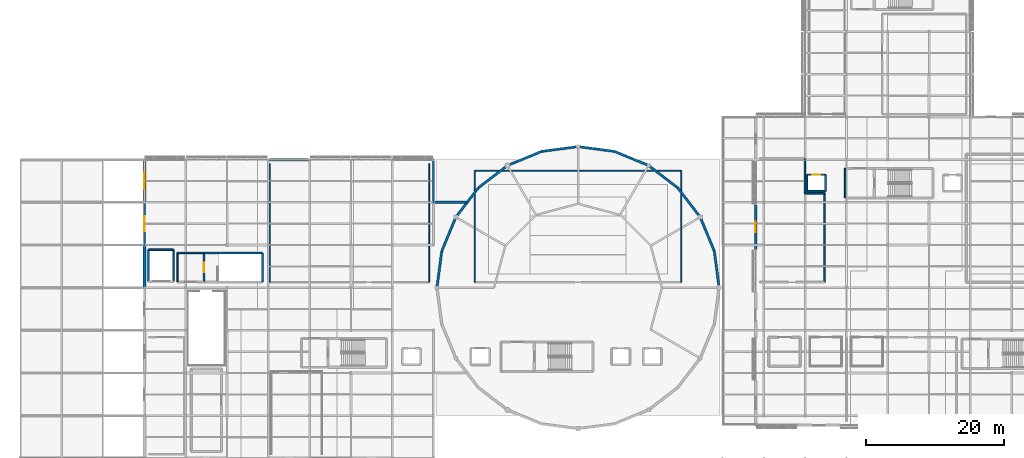
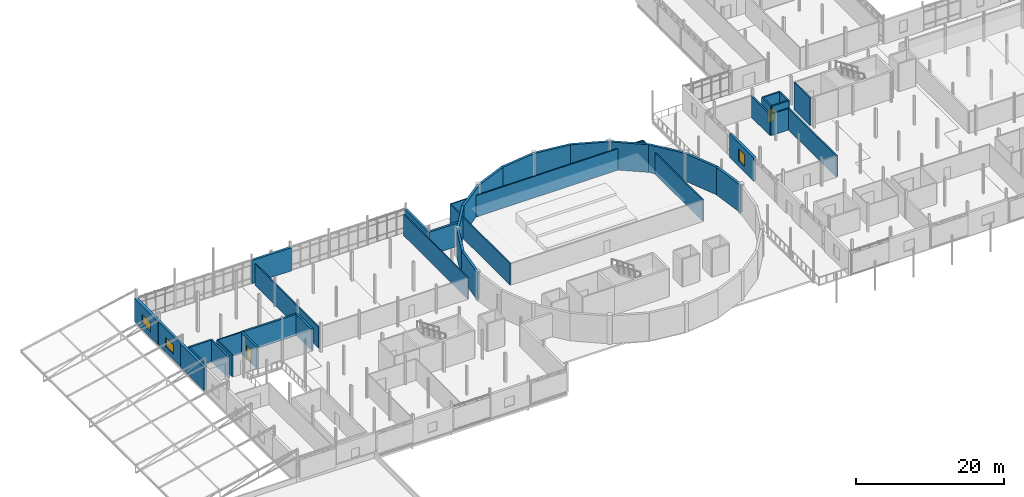
# One storey, part 60 of 84: 40 walls, 3 windows, 2 doors, 5 openings.
"""IFC4 building model written with IfcOpenShell, lengths in metres."""

from ifc_helpers import new_model, si_unit, direction, frame, frame_2d, origin, place, context, subcontext, project, spatial, rectangle, extrude, material, layer, layer_set, type_object, element, fill, save


model = new_model("IFC4")

# Units and contexts
model_context = context("Model", 3, precision=1e-05, world=origin(), true_north=direction((0.0, 1.0)))
body_context = subcontext(model_context, "Body", "Model", "MODEL_VIEW")
ifc_project = project(units=[si_unit("LENGTHUNIT", "METRE"), si_unit("AREAUNIT", "SQUARE_METRE"), si_unit("VOLUMEUNIT", "CUBIC_METRE"), si_unit("PLANEANGLEUNIT", "RADIAN"), si_unit("MASSUNIT", "GRAM", prefix="KILO")], contexts=[model_context])

# Site, building, storey
site_placement = place(None, origin())
site = spatial("IfcSite", under=ifc_project, at=site_placement, CompositionType="ELEMENT")
building_placement = place(site_placement, origin())
building = spatial("IfcBuilding", under=site, at=building_placement, Name="Mirzam Square Science Centre", CompositionType="ELEMENT")
storey_placement = place(building_placement, frame((0.0, 0.0, 10.800048828125)))
storey = spatial("IfcBuildingStorey", under=building, at=storey_placement, Name="L02", CompositionType="ELEMENT", Elevation=10.800048828125)

# Wall
ifc_material_1 = material(Name="Concrete C45/55", Category="concrete")
ifc_layer_1 = layer(ifc_material_1, 0.300048828125)
ifc_layer_set_1 = layer_set([ifc_layer_1], Name="W-CORE-300")
wall_type_1 = type_object("IfcWallType", Name="W-CORE-300", PredefinedType="SHEAR", material=ifc_layer_set_1)
wall_1_placement = place(storey_placement, frame((35.159912109375, 67.050048828125, 0.0), z_axis=(0.0, 0.0, 1.0), x_axis=(-1.0, 0.0, 0.0)))
element("IfcWall", 1, at=wall_1_placement, inside=storey, type_object=wall_type_1, Name="L02 CORE-2 north wall", PredefinedType="SHEAR", context=body_context, shape_type="SweptSolid", body=[
    extrude(rectangle(XDim=8.52001953125, YDim=0.300048828125, at=frame_2d((4.260009765625, 0.0))), origin(), (0.0, 0.0, 1.0), 3.52001953125),
])

# Wall, opening, door
wall_2_placement = place(storey_placement, frame((26.639892578125, 67.050048828125, 0.0), z_axis=(0.0, 0.0, 1.0), x_axis=(0.0, -1.0, 0.0)))
wall_2 = element("IfcWall", 2, at=wall_2_placement, inside=storey, type_object=wall_type_1, Name="L02 CORE-2 west wall", PredefinedType="SHEAR", context=body_context, shape_type="SweptSolid", body=[
    extrude(rectangle(XDim=4.2099609375, YDim=0.300048828125, at=frame_2d((2.10498046875, 0.0))), origin(), (0.0, 0.0, 1.0), 3.52001953125),
])
opening_1_placement = place(wall_2_placement, frame((1.429931640625, 0.0, 0.0)))
opening_1 = element("IfcOpeningElement", 3, at=opening_1_placement, cuts=wall_2, Name="Opening DS-01", PredefinedType="OPENING", context=body_context, shape_type="SweptSolid", body=[
    extrude(rectangle(XDim=1.35009765625, YDim=2.199951171875, at=frame_2d((0.675048828125, 1.10009765625))), frame((0.0, 0.159912109375, 0.0), z_axis=(0.0, -1.0, 0.0), x_axis=(1.0, 0.0, 0.0)), (0.0, 0.0, 1.0), 0.320068359375),
])
ifc_material_2 = material(Name="Fire-Rated Powder-Coated Architectural Steel Door", Category="steel")
door_type_1 = type_object("IfcDoorType", Name="DR-STAIR-1350x2200", OperationType="NOTDEFINED", PredefinedType="DOOR", material=ifc_material_2)
door_1_placement = place(opening_1_placement, origin())
door_1 = element("IfcDoor", 4, at=door_1_placement, inside=storey, type_object=door_type_1, Name="DRS-2-L02", OperationType="SINGLE_SWING_LEFT", OverallHeight=2.199951171875, OverallWidth=1.35009765625, PredefinedType="DOOR", context=body_context, shape_type="SweptSolid", body=[
    extrude(rectangle(XDim=1.35009765625, YDim=2.199951171875, at=frame_2d((0.675048828125, 1.10009765625))), frame((0.0, 0.02490234375, 0.0), z_axis=(0.0, -1.0, 0.0), x_axis=(1.0, 0.0, 0.0)), (0.0, 0.0, 1.0), 0.050048828125),
])
fill(opening_1, door_1)

# Walls
wall_3_placement = place(storey_placement, frame((35.159912109375, 62.840087890625, 0.0), z_axis=(0.0, 0.0, 1.0), x_axis=(0.0, 1.0, 0.0)))
element("IfcWall", 5, at=wall_3_placement, inside=storey, type_object=wall_type_1, Name="L02 CORE-2 east wall", PredefinedType="SHEAR", context=body_context, shape_type="SweptSolid", body=[
    extrude(rectangle(XDim=4.2099609375, YDim=0.300048828125, at=frame_2d((2.10498046875, 0.0))), origin(), (0.0, 0.0, 1.0), 3.52001953125),
])
ifc_layer_2 = layer(ifc_material_1, 0.35009765625)
ifc_layer_set_2 = layer_set([ifc_layer_2], Name="W-DRUM-350")
wall_type_2 = type_object("IfcWallType", Name="W-DRUM-350", PredefinedType="SHEAR", material=ifc_layer_set_2)
wall_4_placement = place(storey_placement, frame((101.5, 62.0, 0.0), z_axis=(0.0, 0.0, 1.0), x_axis=(-0.130517056518, 0.991446064069, 0.0)))
element("IfcWall", 6, at=wall_4_placement, inside=storey, type_object=wall_type_2, Name="L02 planetarium drum wall 01", PredefinedType="SHEAR", context=body_context, shape_type="SweptSolid", body=[
    extrude(rectangle(XDim=5.351806640625, YDim=0.35009765625, at=frame_2d((2.67578125, 0.0))), origin(), (0.0, 0.0, 1.0), 4.550048828125),
])
for number, where, z_axis, x_axis, name in (
    (7, (100.801513671875, 67.305908203125, 0.0), (0.0, 0.0, 1.0), (-0.382713071139, 0.923867255172, 0.0), "L02 planetarium drum wall 02"),
    (8, (98.75341796875, 72.25, 0.0), (0.0, 0.0, 1.0), (-0.60876670321, 0.793349293227, 0.0), "L02 planetarium drum wall 03"),
    (9, (95.49560546875, 76.49560546875, 0.0), (0.0, 0.0, 1.0), (-0.793349293227, 0.60876670321, 0.0), "L02 planetarium drum wall 04"),
    (10, (91.25, 79.75341796875, 0.0), (0.0, 0.0, 1.0), (-0.923867255172, 0.382713071139, 0.0), "L02 planetarium drum wall 05"),
):
    element("IfcWall", number, at=place(storey_placement, frame(where, z_axis=z_axis, x_axis=x_axis)), inside=storey, type_object=wall_type_2, Name=name, PredefinedType="SHEAR", context=body_context, shape_type="SweptSolid", body=[
        extrude(rectangle(XDim=5.3515625, YDim=0.35009765625, at=frame_2d((2.67578125, 0.0))), origin(), (0.0, 0.0, 1.0), 4.550048828125),
    ])
for number, where, z_axis, x_axis, name in (
    (11, (86.305908203125, 81.801513671875, 0.0), (0.0, 0.0, 1.0), (-0.991446064069, 0.130517056518, 0.0), "L02 planetarium drum wall 06"),
    (12, (81.0, 82.5, 0.0), (0.0, 0.0, 1.0), (-0.991446064069, -0.130517056518, 0.0), "L02 planetarium drum wall 07"),
):
    element("IfcWall", number, at=place(storey_placement, frame(where, z_axis=z_axis, x_axis=x_axis)), inside=storey, type_object=wall_type_2, Name=name, PredefinedType="SHEAR", context=body_context, shape_type="SweptSolid", body=[
        extrude(rectangle(XDim=5.351806640625, YDim=0.35009765625, at=frame_2d((2.67578125, 0.0))), origin(), (0.0, 0.0, 1.0), 4.550048828125),
    ])
for number, where, z_axis, x_axis, name in (
    (13, (75.694091796875, 81.801513671875, 0.0), (0.0, 0.0, 1.0), (-0.923867255172, -0.382713071139, 0.0), "L02 planetarium drum wall 08"),
    (14, (70.75, 79.75341796875, 0.0), (0.0, 0.0, 1.0), (-0.793349293227, -0.60876670321, 0.0), "L02 planetarium drum wall 09"),
    (15, (66.50439453125, 76.49560546875, 0.0), (0.0, 0.0, 1.0), (-0.60876670321, -0.793349293227, 0.0), "L02 planetarium drum wall 10"),
    (16, (63.24658203125, 72.25, 0.0), (0.0, 0.0, 1.0), (-0.382713071139, -0.923867255172, 0.0), "L02 planetarium drum wall 11"),
):
    element("IfcWall", number, at=place(storey_placement, frame(where, z_axis=z_axis, x_axis=x_axis)), inside=storey, type_object=wall_type_2, Name=name, PredefinedType="SHEAR", context=body_context, shape_type="SweptSolid", body=[
        extrude(rectangle(XDim=5.3515625, YDim=0.35009765625, at=frame_2d((2.67578125, 0.0))), origin(), (0.0, 0.0, 1.0), 4.550048828125),
    ])
wall_5_placement = place(storey_placement, frame((61.198486328125, 67.305908203125, 0.0), z_axis=(0.0, 0.0, 1.0), x_axis=(-0.130517056518, -0.991446064069, 0.0)))
element("IfcWall", 17, at=wall_5_placement, inside=storey, type_object=wall_type_2, Name="L02 planetarium drum wall 12", PredefinedType="SHEAR", context=body_context, shape_type="SweptSolid", body=[
    extrude(rectangle(XDim=5.351806640625, YDim=0.35009765625, at=frame_2d((2.67578125, 0.0))), origin(), (0.0, 0.0, 1.0), 4.550048828125),
])

# Wall, opening, window
ifc_material_3 = material(Name="Insulated Sand-Toned GFRC Concrete C40/50", Category="concrete")
ifc_layer_3 = layer(ifc_material_3, 0.385009765625)
ifc_layer_set_3 = layer_set([ifc_layer_3], Name="W-EXT-GFRC-385")
wall_type_3 = type_object("IfcWallType", Name="W-EXT-GFRC-385", PredefinedType="SOLIDWALL", material=ifc_layer_set_3)
wall_6_placement = place(storey_placement, frame((106.800048828125, 74.074951171875, 0.0), z_axis=(0.0, 0.0, 1.0), x_axis=(0.0, -1.0, 0.0)))
wall_6 = element("IfcWall", 18, at=wall_6_placement, inside=storey, type_object=wall_type_3, Name="L02 external wall EW-EST-W-L02-03", PredefinedType="SOLIDWALL", context=body_context, shape_type="SweptSolid", body=[
    extrude(rectangle(XDim=6.550048828125, YDim=0.385009765625, at=frame_2d((3.27490234375, 0.0))), origin(), (0.0, 0.0, 1.0), 3.83984375),
])
opening_2_placement = place(wall_6_placement, frame((2.5, 0.0, 0.89990234375)))
opening_2 = element("IfcOpeningElement", 19, at=opening_2_placement, cuts=wall_6, Name="Opening W-37", PredefinedType="OPENING", context=body_context, shape_type="SweptSolid", body=[
    extrude(rectangle(XDim=1.550048828125, YDim=1.949951171875, at=frame_2d((0.77490234375, 0.97509765625))), frame((0.0, 0.202392578125, 0.0), z_axis=(0.0, -1.0, 0.0), x_axis=(1.0, 0.0, 0.0)), (0.0, 0.0, 1.0), 0.405029296875),
])
ifc_material_4 = material(Name="Thermally Broken Bronze Aluminium and Low-E Glass", Category="aluminium")
window_type_1 = type_object("IfcWindowType", Name="WIN-1550x1950", PartitioningType="SINGLE_PANEL", PredefinedType="WINDOW", material=ifc_material_4)
window_1_placement = place(opening_2_placement, origin())
window_1 = element("IfcWindow", 20, at=window_1_placement, inside=storey, type_object=window_type_1, Name="L02 solar window 081", OverallHeight=1.949951171875, OverallWidth=1.550048828125, PartitioningType="SINGLE_PANEL", PredefinedType="WINDOW", context=body_context, shape_type="SweptSolid", body=[
    extrude(rectangle(XDim=1.550048828125, YDim=1.949951171875, at=frame_2d((0.77490234375, 0.97509765625))), frame((0.0, 0.030029296875, 0.0), z_axis=(0.0, -1.0, 0.0), x_axis=(1.0, 0.0, 0.0)), (0.0, 0.0, 1.0), 0.06005859375),
])
fill(opening_2, window_1)

# Wall
ifc_material_5 = material(Name="Honed Qatari Limestone Concrete C40/50", Category="masonry")
ifc_layer_4 = layer(ifc_material_5, 0.449951171875)
ifc_layer_set_4 = layer_set([ifc_layer_4], Name="W-EXT-LIME-450")
wall_type_4 = type_object("IfcWallType", Name="W-EXT-LIME-450", PredefinedType="SOLIDWALL", material=ifc_layer_set_4)
wall_7_placement = place(storey_placement, frame((18.0, 68.27490234375, 0.0), z_axis=(0.0, 0.0, 1.0), x_axis=(0.0, -1.0, 0.0)))
element("IfcWall", 21, at=wall_7_placement, inside=storey, type_object=wall_type_4, Name="L02 external wall EW-WDG-W-L02-11", PredefinedType="SOLIDWALL", context=body_context, shape_type="SweptSolid", body=[
    extrude(rectangle(XDim=6.349853515625, YDim=0.449951171875, at=frame_2d((3.1748046875, 0.0))), origin(), (0.0, 0.0, 1.0), 3.83984375),
])

# Wall, opening, window
wall_8_placement = place(storey_placement, frame((18.0, 80.675048828125, 0.0), z_axis=(0.0, 0.0, 1.0), x_axis=(0.0, -1.0, 0.0)))
wall_8 = element("IfcWall", 22, at=wall_8_placement, inside=storey, type_object=wall_type_4, Name="L02 external wall EW-WDG-W-L02-13", PredefinedType="SOLIDWALL", context=body_context, shape_type="SweptSolid", body=[
    extrude(rectangle(XDim=6.35009765625, YDim=0.449951171875, at=frame_2d((3.175048828125, 0.0))), origin(), (0.0, 0.0, 1.0), 3.83984375),
])
opening_3_placement = place(wall_8_placement, frame((1.97509765625, 0.0, 0.89990234375)))
opening_3 = element("IfcOpeningElement", 23, at=opening_3_placement, cuts=wall_8, Name="Opening W-20", PredefinedType="OPENING", context=body_context, shape_type="SweptSolid", body=[
    extrude(rectangle(XDim=2.39990234375, YDim=1.5, at=frame_2d((1.199951171875, 0.75))), frame((0.0, 0.23486328125, 0.0), z_axis=(0.0, -1.0, 0.0), x_axis=(1.0, 0.0, 0.0)), (0.0, 0.0, 1.0), 0.469970703125),
])
window_type_2 = type_object("IfcWindowType", Name="WIN-2400x1500", PartitioningType="DOUBLE_PANEL_VERTICAL", PredefinedType="WINDOW", material=ifc_material_4)
window_2_placement = place(opening_3_placement, origin())
window_2 = element("IfcWindow", 24, at=window_2_placement, inside=storey, type_object=window_type_2, Name="L02 solar window 020", OverallHeight=1.5, OverallWidth=2.39990234375, PartitioningType="DOUBLE_PANEL_VERTICAL", PredefinedType="WINDOW", context=body_context, shape_type="SweptSolid", body=[
    extrude(rectangle(XDim=2.39990234375, YDim=1.5, at=frame_2d((1.199951171875, 0.75))), frame((0.0, 0.030029296875, 0.0), z_axis=(0.0, -1.0, 0.0), x_axis=(1.0, 0.0, 0.0)), (0.0, 0.0, 1.0), 0.06005859375),
])
fill(opening_3, window_2)

# Walls
ifc_material_6 = material(Name="Standing-Seam Zinc-Clad Concrete Backup C40/50", Category="concrete")
ifc_layer_5 = layer(ifc_material_6, 0.35009765625)
ifc_layer_set_5 = layer_set([ifc_layer_5], Name="W-EXT-METAL-350")
wall_type_5 = type_object("IfcWallType", Name="W-EXT-METAL-350", PredefinedType="SOLIDWALL", material=ifc_layer_set_5)
wall_9_placement = place(storey_placement, frame((42.074951171875, 80.60009765625, 0.0), z_axis=(0.0, 0.0, 1.0), x_axis=(-1.0, 0.0, 0.0)))
element("IfcWall", 25, at=wall_9_placement, inside=storey, type_object=wall_type_5, Name="L02 external wall EW-WDG-N-L02-07", PredefinedType="SOLIDWALL", context=body_context, shape_type="SweptSolid", body=[
    extrude(rectangle(XDim=6.14990234375, YDim=0.35009765625, at=frame_2d((3.074951171875, 0.0))), origin(), (0.0, 0.0, 1.0), 3.83984375),
])
wall_10_placement = place(storey_placement, frame((64.875, 74.39990234375, 0.0), z_axis=(0.0, 0.0, 1.0), x_axis=(-1.0, 0.0, 0.0)))
element("IfcWall", 26, at=wall_10_placement, inside=storey, type_object=wall_type_5, Name="L02 external wall EW-WDG-E-N2-L02", PredefinedType="SOLIDWALL", context=body_context, shape_type="SweptSolid", body=[
    extrude(rectangle(XDim=4.949951171875, YDim=0.35009765625, at=frame_2d((2.47509765625, 0.0))), origin(), (0.0, 0.0, 1.0), 3.83984375),
])
wall_11_placement = place(storey_placement, frame((60.0, 74.324951171875, 0.0), z_axis=(0.0, 0.0, 1.0), x_axis=(0.0, 1.0, 0.0)))
element("IfcWall", 27, at=wall_11_placement, inside=storey, type_object=wall_type_5, Name="L02 external wall EW-WDG-E-N-L02", PredefinedType="SOLIDWALL", context=body_context, shape_type="SweptSolid", body=[
    extrude(rectangle(XDim=6.35009765625, YDim=0.35009765625, at=frame_2d((3.175048828125, 0.0))), origin(), (0.0, 0.0, 1.0), 3.83984375),
])

# Wall, opening, window
wall_12_placement = place(storey_placement, frame((18.0, 74.47509765625, 0.0), z_axis=(0.0, 0.0, 1.0), x_axis=(0.0, -1.0, 0.0)))
wall_12 = element("IfcWall", 28, at=wall_12_placement, inside=storey, type_object=wall_type_5, Name="L02 external wall EW-WDG-W-L02-12", PredefinedType="SOLIDWALL", context=body_context, shape_type="SweptSolid", body=[
    extrude(rectangle(XDim=6.35009765625, YDim=0.35009765625, at=frame_2d((3.175048828125, 0.0))), origin(), (0.0, 0.0, 1.0), 3.83984375),
])
opening_4_placement = place(wall_12_placement, frame((2.074951171875, 0.0, 0.89990234375)))
opening_4 = element("IfcOpeningElement", 29, at=opening_4_placement, cuts=wall_12, Name="Opening W-19", PredefinedType="OPENING", context=body_context, shape_type="SweptSolid", body=[
    extrude(rectangle(XDim=2.199951171875, YDim=1.5, at=frame_2d((1.10009765625, 0.75))), frame((0.0, 0.18505859375, 0.0), z_axis=(0.0, -1.0, 0.0), x_axis=(1.0, 0.0, 0.0)), (0.0, 0.0, 1.0), 0.3701171875),
])
window_type_3 = type_object("IfcWindowType", Name="WIN-2200x1500", PartitioningType="DOUBLE_PANEL_VERTICAL", PredefinedType="WINDOW", material=ifc_material_4)
window_3_placement = place(opening_4_placement, origin())
window_3 = element("IfcWindow", 30, at=window_3_placement, inside=storey, type_object=window_type_3, Name="L02 solar window 019", OverallHeight=1.5, OverallWidth=2.199951171875, PartitioningType="DOUBLE_PANEL_VERTICAL", PredefinedType="WINDOW", context=body_context, shape_type="SweptSolid", body=[
    extrude(rectangle(XDim=2.199951171875, YDim=1.5, at=frame_2d((1.10009765625, 0.75))), frame((0.0, 0.030029296875, 0.0), z_axis=(0.0, -1.0, 0.0), x_axis=(1.0, 0.0, 0.0)), (0.0, 0.0, 1.0), 0.06005859375),
])
fill(opening_4, window_3)

# Walls
ifc_layer_6 = layer(ifc_material_1, 0.199951171875)
ifc_layer_set_6 = layer_set([ifc_layer_6], Name="W-LOBBY-200")
wall_type_6 = type_object("IfcWallType", Name="W-LOBBY-200", PredefinedType="SHEAR", material=ifc_layer_set_6)
wall_13_placement = place(storey_placement, frame((26.639892578125, 67.050048828125, 0.0), z_axis=(0.0, 0.0, 1.0), x_axis=(-1.0, 0.0, 0.0)))
element("IfcWall", 31, at=wall_13_placement, inside=storey, type_object=wall_type_6, Name="L02 CORE-2 lobby north wall", PredefinedType="SHEAR", context=body_context, shape_type="SweptSolid", body=[
    extrude(rectangle(XDim=3.83984375, YDim=0.199951171875, at=frame_2d((1.919921875, 0.0))), origin(), (0.0, 0.0, 1.0), 3.52001953125),
])
wall_14_placement = place(storey_placement, frame((22.800048828125, 67.050048828125, 0.0), z_axis=(0.0, 0.0, 1.0), x_axis=(0.0, -1.0, 0.0)))
element("IfcWall", 32, at=wall_14_placement, inside=storey, type_object=wall_type_6, Name="L02 CORE-2 lobby west wall", PredefinedType="SHEAR", context=body_context, shape_type="SweptSolid", body=[
    extrude(rectangle(XDim=4.2099609375, YDim=0.199951171875, at=frame_2d((2.10498046875, 0.0))), origin(), (0.0, 0.0, 1.0), 3.52001953125),
])
wall_15_placement = place(storey_placement, frame((119.800048828125, 79.330078125, 0.0), z_axis=(0.0, 0.0, 1.0), x_axis=(0.0, -1.0, 0.0)))
element("IfcWall", 33, at=wall_15_placement, inside=storey, type_object=wall_type_6, Name="L02 CORE-4 lobby west wall", PredefinedType="SHEAR", context=body_context, shape_type="SweptSolid", body=[
    extrude(rectangle(XDim=4.2900390625, YDim=0.199951171875, at=frame_2d((2.14501953125, 0.0))), origin(), (0.0, 0.0, 1.0), 4.550048828125),
])
ifc_material_7 = material(Name="Wet-Area Moisture-Resistant Partition", Category="gypsum")
ifc_layer_7 = layer(ifc_material_7, 0.1650390625)
ifc_layer_set_7 = layer_set([ifc_layer_7], Name="W-PART-165")
wall_type_7 = type_object("IfcWallType", Name="W-PART-165", PredefinedType="PARTITIONING", material=ifc_layer_set_7)
for number, where, z_axis, x_axis, name in (
    (34, (59.39990234375, 80.0, 0.0), (0.0, 0.0, 1.0), (0.0, -1.0, 0.0), "L02 Earth and Planetary Geology Exhibition Hall 4 partition 175"),
    (35, (36.199951171875, 62.800048828125, 0.0), (0.0, 0.0, 1.0), (0.0, 1.0, 0.0), "L02 Earth and Planetary Geology Exhibition Hall 4 partition 177"),
):
    element("IfcWall", number, at=place(storey_placement, frame(where, z_axis=z_axis, x_axis=x_axis)), inside=storey, type_object=wall_type_7, Name=name, PredefinedType="PARTITIONING", context=body_context, shape_type="SweptSolid", body=[
        extrude(rectangle(XDim=17.199951171875, YDim=0.1650390625, at=frame_2d((8.60009765625, 0.0))), origin(), (0.0, 0.0, 1.0), 3.52001953125),
    ])
ifc_material_8 = material(Name="Workshop Acoustic Masonry Partition", Category="masonry")
ifc_layer_8 = layer(ifc_material_8, 0.179931640625)
ifc_layer_set_8 = layer_set([ifc_layer_8], Name="W-PART-180")
wall_type_8 = type_object("IfcWallType", Name="W-PART-180", PredefinedType="PARTITIONING", material=ifc_layer_set_8)
wall_16_placement = place(storey_placement, frame((66.0, 79.0, 0.0), z_axis=(0.0, 0.0, 1.0), x_axis=(1.0, 0.0, 0.0)))
element("IfcWall", 36, at=wall_16_placement, inside=storey, type_object=wall_type_8, Name="L02 Planetarium Dome Chamber partition 178", PredefinedType="PARTITIONING", context=body_context, shape_type="SweptSolid", body=[
    extrude(rectangle(XDim=30.0, YDim=0.179931640625, at=frame_2d((15.0, 0.0))), origin(), (0.0, 0.0, 1.0), 3.52001953125),
])
for number, where, z_axis, x_axis, name in (
    (37, (96.0, 79.0, 0.0), (0.0, 0.0, 1.0), (0.0, -1.0, 0.0), "L02 Planetarium Dome Chamber partition 179"),
    (38, (66.0, 62.800048828125, 0.0), (0.0, 0.0, 1.0), (0.0, 1.0, 0.0), "L02 Planetarium Dome Chamber partition 181"),
):
    element("IfcWall", number, at=place(storey_placement, frame(where, z_axis=z_axis, x_axis=x_axis)), inside=storey, type_object=wall_type_8, Name=name, PredefinedType="PARTITIONING", context=body_context, shape_type="SweptSolid", body=[
        extrude(rectangle(XDim=16.199951171875, YDim=0.179931640625, at=frame_2d((8.10009765625, 0.0))), origin(), (0.0, 0.0, 1.0), 3.52001953125),
    ])
ifc_material_9 = material(Name="Gallery Display Backing Wall Concrete C30/37", Category="concrete")
ifc_layer_9 = layer(ifc_material_9, 0.22998046875)
ifc_layer_set_9 = layer_set([ifc_layer_9], Name="W-PART-230")
wall_type_9 = type_object("IfcWallType", Name="W-PART-230", PredefinedType="PARTITIONING", material=ifc_layer_set_9)
wall_17_placement = place(storey_placement, frame((113.949951171875, 80.800048828125, 0.0), z_axis=(0.0, 0.0, 1.0), x_axis=(0.0, -1.0, 0.0)))
element("IfcWall", 39, at=wall_17_placement, inside=storey, type_object=wall_type_9, Name="L02 Water and Desalination Wet Laboratory 3 partition 190", PredefinedType="PARTITIONING", context=body_context, shape_type="SweptSolid", body=[
    extrude(rectangle(XDim=5.10009765625, YDim=0.22998046875, at=frame_2d((2.550048828125, 0.0))), origin(), (0.0, 0.0, 1.0), 3.52001953125),
])
wall_18_placement = place(storey_placement, frame((113.949951171875, 75.699951171875, 0.0), z_axis=(0.0, 0.0, 1.0), x_axis=(1.0, 0.0, 0.0)))
element("IfcWall", 40, at=wall_18_placement, inside=storey, type_object=wall_type_9, Name="L02 Water and Desalination Wet Laboratory 3 partition 191", PredefinedType="PARTITIONING", context=body_context, shape_type="SweptSolid", body=[
    extrude(rectangle(XDim=2.85009765625, YDim=0.22998046875, at=frame_2d((1.425048828125, 0.0))), origin(), (0.0, 0.0, 1.0), 3.52001953125),
])
wall_19_placement = place(storey_placement, frame((116.800048828125, 75.699951171875, 0.0), z_axis=(0.0, 0.0, 1.0), x_axis=(0.0, -1.0, 0.0)))
element("IfcWall", 41, at=wall_19_placement, inside=storey, type_object=wall_type_9, Name="L02 Water and Desalination Wet Laboratory 3 partition 192", PredefinedType="PARTITIONING", context=body_context, shape_type="SweptSolid", body=[
    extrude(rectangle(XDim=12.89990234375, YDim=0.22998046875, at=frame_2d((6.449951171875, 0.0))), origin(), (0.0, 0.0, 1.0), 3.52001953125),
])
ifc_layer_10 = layer(ifc_material_1, 0.25)
ifc_layer_set_10 = layer_set([ifc_layer_10], Name="W-SHAFT-250")
wall_type_10 = type_object("IfcWallType", Name="W-SHAFT-250", PredefinedType="SHEAR", material=ifc_layer_set_10)
wall_20_placement = place(storey_placement, frame((114.25, 76.0, 0.0), z_axis=(0.0, 0.0, 1.0), x_axis=(1.0, 0.0, 0.0)))
element("IfcWall", 42, at=wall_20_placement, inside=storey, type_object=wall_type_10, Name="L02 lift LF-02 shaft wall S", PredefinedType="SHEAR", context=body_context, shape_type="SweptSolid", body=[
    extrude(rectangle(XDim=2.699951171875, YDim=0.25, at=frame_2d((1.35009765625, 0.0))), origin(), (0.0, 0.0, 1.0), 4.550048828125),
])

# Wall, opening, door
wall_21_placement = place(storey_placement, frame((116.949951171875, 78.39990234375, 0.0), z_axis=(0.0, 0.0, 1.0), x_axis=(-1.0, 0.0, 0.0)))
wall_21 = element("IfcWall", 43, at=wall_21_placement, inside=storey, type_object=wall_type_10, Name="L02 lift LF-02 shaft wall N", PredefinedType="SHEAR", context=body_context, shape_type="SweptSolid", body=[
    extrude(rectangle(XDim=2.699951171875, YDim=0.25, at=frame_2d((1.35009765625, 0.0))), origin(), (0.0, 0.0, 1.0), 4.550048828125),
])
opening_5_placement = place(wall_21_placement, frame((0.75, 0.0, 0.0)))
opening_5 = element("IfcOpeningElement", 44, at=opening_5_placement, cuts=wall_21, Name="Opening LD-02", PredefinedType="OPENING", context=body_context, shape_type="SweptSolid", body=[
    extrude(rectangle(XDim=1.199951171875, YDim=2.199951171875, at=frame_2d((0.60009765625, 1.10009765625))), frame((0.0, 0.135009765625, 0.0), z_axis=(0.0, -1.0, 0.0), x_axis=(1.0, 0.0, 0.0)), (0.0, 0.0, 1.0), 0.27001953125),
])
ifc_material_10 = material(Name="Firefighting Brushed Stainless Steel 316L Sliding Door", Category="steel")
door_type_2 = type_object("IfcDoorType", Name="LD-FIRE-1200x2200", OperationType="DOUBLE_DOOR_SLIDING", PredefinedType="DOOR", material=ifc_material_10)
door_2_placement = place(opening_5_placement, origin())
door_2 = element("IfcDoor", 45, at=door_2_placement, inside=storey, type_object=door_type_2, Name="LD-LF-02-L02", OperationType="DOUBLE_DOOR_SLIDING", OverallHeight=2.199951171875, OverallWidth=1.199951171875, PredefinedType="DOOR", context=body_context, shape_type="SweptSolid", body=[
    extrude(rectangle(XDim=1.199951171875, YDim=2.199951171875, at=frame_2d((0.60009765625, 1.10009765625))), frame((0.0, 0.02490234375, 0.0), z_axis=(0.0, -1.0, 0.0), x_axis=(1.0, 0.0, 0.0)), (0.0, 0.0, 1.0), 0.050048828125),
])
fill(opening_5, door_2)

# Walls
for number, where, z_axis, x_axis, name in (
    (46, (114.25, 78.39990234375, 0.0), (0.0, 0.0, 1.0), (0.0, -1.0, 0.0), "L02 lift LF-02 shaft wall W"),
    (47, (116.949951171875, 76.0, 0.0), (0.0, 0.0, 1.0), (0.0, 1.0, 0.0), "L02 lift LF-02 shaft wall E"),
):
    element("IfcWall", number, at=place(storey_placement, frame(where, z_axis=z_axis, x_axis=x_axis)), inside=storey, type_object=wall_type_10, Name=name, PredefinedType="SHEAR", context=body_context, shape_type="SweptSolid", body=[
        extrude(rectangle(XDim=2.39990234375, YDim=0.25, at=frame_2d((1.199951171875, 0.0))), origin(), (0.0, 0.0, 1.0), 4.550048828125),
    ])
wall_22_placement = place(storey_placement, frame((22.199951171875, 67.5, 0.0), z_axis=(0.0, 0.0, 1.0), x_axis=(-1.0, 0.0, 0.0)))
element("IfcWall", 48, at=wall_22_placement, inside=storey, type_object=wall_type_10, Name="L02 lift LG-01 shaft wall N", PredefinedType="SHEAR", context=body_context, shape_type="SweptSolid", body=[
    extrude(rectangle(XDim=3.599853515625, YDim=0.25, at=frame_2d((1.7998046875, 0.0))), origin(), (0.0, 0.0, 1.0), 3.52001953125),
])
for number, where, z_axis, x_axis, name in (
    (49, (18.60009765625, 67.5, 0.0), (0.0, 0.0, 1.0), (0.0, -1.0, 0.0), "L02 lift LG-01 shaft wall W"),
    (50, (22.199951171875, 62.89990234375, 0.0), (0.0, 0.0, 1.0), (0.0, 1.0, 0.0), "L02 lift LG-01 shaft wall E"),
):
    element("IfcWall", number, at=place(storey_placement, frame(where, z_axis=z_axis, x_axis=x_axis)), inside=storey, type_object=wall_type_10, Name=name, PredefinedType="SHEAR", context=body_context, shape_type="SweptSolid", body=[
        extrude(rectangle(XDim=4.60009765625, YDim=0.25, at=frame_2d((2.300048828125, 0.0))), origin(), (0.0, 0.0, 1.0), 3.52001953125),
    ])

save(model, "model.ifc")
